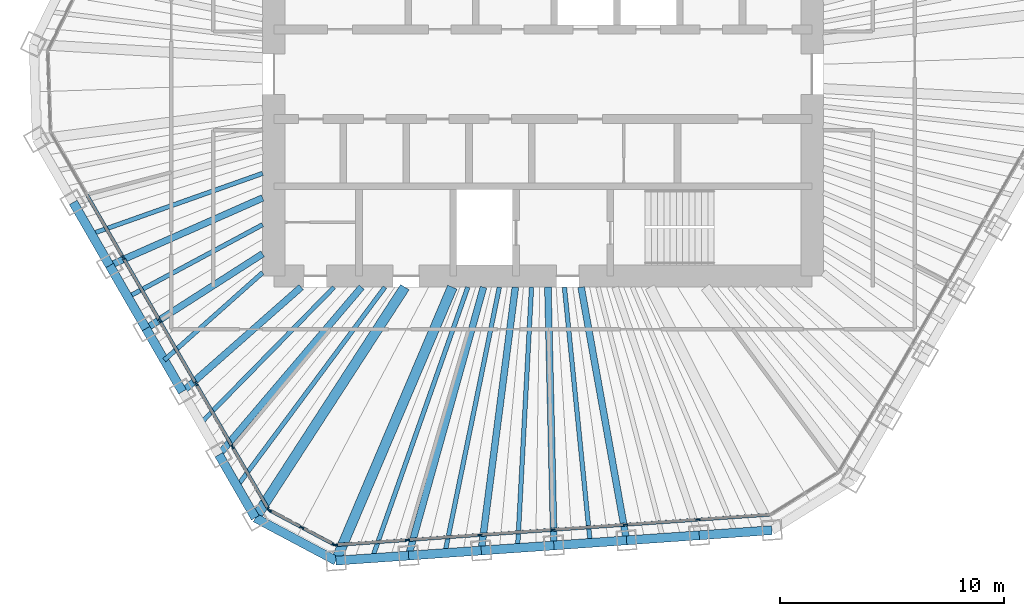
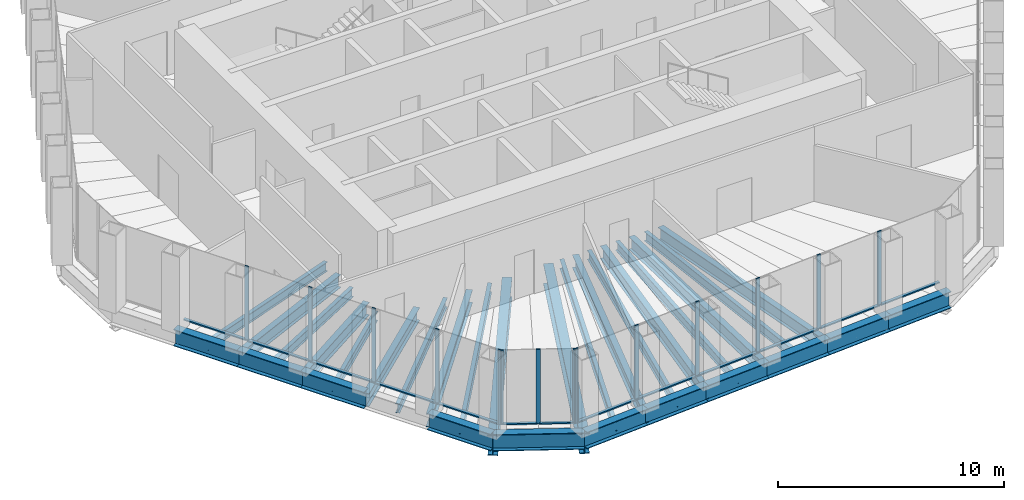
# One storey, part 2 of 14: 30 beams, 27 members, 3 elements without a shape of their own.
"""IFC4 building model written with IfcOpenShell, lengths in metres."""

from ifc_helpers import new_model, si_unit, direction, frame, origin, origin_2d, place, context, subcontext, project, spatial, rectangle, i_section, extrude, material, material_profile, profile_set, type_object, element, aggregate, save


model = new_model("IFC4")

# Units and contexts
model_context = context("Model", 3, precision=1e-05, world=origin(), true_north=direction((0.0, 1.0)))
body_context = subcontext(model_context, "Body", "Model", "MODEL_VIEW")
ifc_project = project(units=[si_unit("LENGTHUNIT", "METRE"), si_unit("AREAUNIT", "SQUARE_METRE"), si_unit("VOLUMEUNIT", "CUBIC_METRE"), si_unit("PLANEANGLEUNIT", "RADIAN"), si_unit("MASSUNIT", "GRAM", prefix="KILO")], contexts=[model_context])

# Site, building, storey
site_placement = place(None, origin())
site = spatial("IfcSite", under=ifc_project, at=site_placement, CompositionType="ELEMENT")
building_placement = place(site_placement, origin())
building = spatial("IfcBuilding", under=site, at=building_placement, Name="Qingtian Harvest Tower", CompositionType="ELEMENT")
storey_placement = place(building_placement, frame((0.0, 0.0, 295.60009765625)))
storey = spatial("IfcBuildingStorey", under=building, at=storey_placement, Name="L65", CompositionType="ELEMENT", Elevation=295.60009765625)

# Beams
ifc_material_1 = material(Name="Steel SM570MC", Category="steel")
ifc_material_profile_1 = material_profile(ifc_material_1, i_section(OverallWidth=0.449951171875, OverallDepth=1.10009765625, WebThickness=0.02197265625, FlangeThickness=0.044921875, at=origin_2d()), Name="H1100x450x22x45")
ifc_profile_set_1 = profile_set([ifc_material_profile_1], Name="Steel SM570MC")
beam_type_1 = type_object("IfcBeamType", Name="Corner floor beam FB8 H1100x450x22x45", PredefinedType="BEAM", material=ifc_profile_set_1)
beam_1_placement = place(storey_placement, frame((-9.231201171875, -21.69677734375, -0.72021484375), z_axis=(0.391497096334, 0.920179343151, 0.0), x_axis=(-0.920179343151, 0.391497096334, 0.0)))
element("IfcBeam", 1, at=beam_1_placement, inside=storey, type_object=beam_type_1, Name="Floor beam FB8 S6", PredefinedType="BEAM", context=body_context, shape_type="SweptSolid", body=[
    extrude(i_section(OverallWidth=0.449951171875, OverallDepth=1.10009765625, WebThickness=0.02197265625, FlangeThickness=0.044921875, at=origin_2d()), origin(), (0.0, 0.0, 1.0), 13.2548828125),
])
beam_2_placement = place(storey_placement, frame((-12.825439453125, -19.78564453125, -0.72021484375), z_axis=(0.543944801957, 0.83912099987, 0.0), x_axis=(-0.83912099987, 0.543944801957, 0.0)))
element("IfcBeam", 2, at=beam_2_placement, inside=storey, type_object=beam_type_1, Name="Floor beam FB8 SW0", PredefinedType="BEAM", context=body_context, shape_type="SweptSolid", body=[
    extrude(i_section(OverallWidth=0.449951171875, OverallDepth=1.10009765625, WebThickness=0.02197265625, FlangeThickness=0.044921875, at=origin_2d()), origin(), (0.0, 0.0, 1.0), 12.257568359375),
])
ifc_material_2 = material(Name="Steel SN490B", Category="steel")
ifc_material_profile_2 = material_profile(ifc_material_2, i_section(OverallWidth=0.300048828125, OverallDepth=0.699951171875, WebThickness=0.012939453125, FlangeThickness=0.02392578125, at=origin_2d()), Name="H700x300x13x24")
ifc_profile_set_2 = profile_set([ifc_material_profile_2], Name="Steel SN490B")
beam_type_2 = type_object("IfcBeamType", Name="Floor beam FB4 H700x300x13x24", PredefinedType="BEAM", material=ifc_profile_set_2)
beam_3_placement = place(storey_placement, frame((3.729248046875, -20.79052734375, -0.52001953125), z_axis=(-0.176549332285, 0.984291792747, 0.0), x_axis=(-0.984291792747, -0.176549332285, 0.0)))
element("IfcBeam", 3, at=beam_3_placement, inside=storey, type_object=beam_type_2, Name="Floor beam FB4 S2", PredefinedType="BEAM", context=body_context, shape_type="SweptSolid", body=[
    extrude(i_section(OverallWidth=0.300048828125, OverallDepth=0.699951171875, WebThickness=0.012939453125, FlangeThickness=0.02392578125, at=origin_2d()), origin(), (0.0, 0.0, 1.0), 11.470703125),
])
beam_4_placement = place(storey_placement, frame((0.489013671875, -21.01708984375, -0.52001953125), z_axis=(-0.023248050009, 0.999729727562, 0.0), x_axis=(-0.999729727562, -0.023248050009, 0.0)))
element("IfcBeam", 4, at=beam_4_placement, inside=storey, type_object=beam_type_2, Name="Floor beam FB4 S3", PredefinedType="BEAM", context=body_context, shape_type="SweptSolid", body=[
    extrude(i_section(OverallWidth=0.300048828125, OverallDepth=0.699951171875, WebThickness=0.012939453125, FlangeThickness=0.02392578125, at=origin_2d()), origin(), (0.0, 0.0, 1.0), 11.520263671875),
])
beam_5_placement = place(storey_placement, frame((-2.7509765625, -21.24365234375, -0.52001953125), z_axis=(0.128423358095, 0.991719436683, 0.0), x_axis=(-0.991719436683, 0.128423358095, 0.0)))
element("IfcBeam", 5, at=beam_5_placement, inside=storey, type_object=beam_type_2, Name="Floor beam FB4 S4", PredefinedType="BEAM", context=body_context, shape_type="SweptSolid", body=[
    extrude(i_section(OverallWidth=0.300048828125, OverallDepth=0.699951171875, WebThickness=0.012939453125, FlangeThickness=0.02392578125, at=origin_2d()), origin(), (0.0, 0.0, 1.0), 11.841796875),
])
beam_6_placement = place(storey_placement, frame((-5.9912109375, -21.47021484375, -0.52001953125), z_axis=(0.268784556761, 0.963200322906, 0.0), x_axis=(-0.963200322906, 0.268784556761, 0.0)))
element("IfcBeam", 6, at=beam_6_placement, inside=storey, type_object=beam_type_2, Name="Floor beam FB4 S5", PredefinedType="BEAM", context=body_context, shape_type="SweptSolid", body=[
    extrude(i_section(OverallWidth=0.300048828125, OverallDepth=0.699951171875, WebThickness=0.012939453125, FlangeThickness=0.02392578125, at=origin_2d()), origin(), (0.0, 0.0, 1.0), 12.427490234375),
])
beam_7_placement = place(storey_placement, frame((-14.449462890625, -16.972900390625, -0.52001953125), z_axis=(0.64823096823, 0.761443768001, 0.0), x_axis=(-0.761443768001, 0.64823096823, 0.0)))
element("IfcBeam", 7, at=beam_7_placement, inside=storey, type_object=beam_type_2, Name="Floor beam FB4 SW1", PredefinedType="BEAM", context=body_context, shape_type="SweptSolid", body=[
    extrude(i_section(OverallWidth=0.300048828125, OverallDepth=0.699951171875, WebThickness=0.012939453125, FlangeThickness=0.02392578125, at=origin_2d()), origin(), (0.0, 0.0, 1.0), 9.814208984375),
])
beam_8_placement = place(storey_placement, frame((-16.073486328125, -14.159912109375, -0.52001953125), z_axis=(0.75036921961, 0.661018936387, 0.0), x_axis=(-0.661018936387, 0.75036921961, 0.0)))
element("IfcBeam", 8, at=beam_8_placement, inside=storey, type_object=beam_type_2, Name="Floor beam FB4 SW2", PredefinedType="BEAM", context=body_context, shape_type="SweptSolid", body=[
    extrude(i_section(OverallWidth=0.300048828125, OverallDepth=0.699951171875, WebThickness=0.012939453125, FlangeThickness=0.02392578125, at=origin_2d()), origin(), (0.0, 0.0, 1.0), 7.049560546875),
])
beam_9_placement = place(storey_placement, frame((-17.697509765625, -11.34716796875, -0.52001953125), z_axis=(0.841821552392, 0.539755939225, 0.0), x_axis=(-0.539755939225, 0.841821552392, 0.0)))
element("IfcBeam", 9, at=beam_9_placement, inside=storey, type_object=beam_type_2, Name="Floor beam FB4 SW3", PredefinedType="BEAM", context=body_context, shape_type="SweptSolid", body=[
    extrude(i_section(OverallWidth=0.300048828125, OverallDepth=0.699951171875, WebThickness=0.012939453125, FlangeThickness=0.02392578125, at=origin_2d()), origin(), (0.0, 0.0, 1.0), 6.174072265625),
])
beam_10_placement = place(storey_placement, frame((-19.321533203125, -8.5341796875, -0.52001953125), z_axis=(0.914747389649, 0.404026253021, 0.0), x_axis=(-0.404026253021, 0.914747389649, 0.0)))
element("IfcBeam", 10, at=beam_10_placement, inside=storey, type_object=beam_type_2, Name="Floor beam FB4 SW4", PredefinedType="BEAM", context=body_context, shape_type="SweptSolid", body=[
    extrude(i_section(OverallWidth=0.300048828125, OverallDepth=0.699951171875, WebThickness=0.012939453125, FlangeThickness=0.02392578125, at=origin_2d()), origin(), (0.0, 0.0, 1.0), 7.457275390625),
])
ifc_material_3 = material(Name="Steel SN490B", Category="steel")
ifc_material_profile_3 = material_profile(ifc_material_3, i_section(OverallWidth=0.199951171875, OverallDepth=0.5, WebThickness=0.010009765625, FlangeThickness=0.01611328125, at=origin_2d()), Name="H500x200x10x16")
ifc_profile_set_3 = profile_set([ifc_material_profile_3], Name="Steel SN490B")
beam_type_3 = type_object("IfcBeamType", Name="Floor joist J3 H500x200x10x16", PredefinedType="JOIST", material=ifc_profile_set_3)
beam_11_placement = place(storey_placement, frame((2.109130859375, -20.90380859375, -0.420166015625), z_axis=(-0.100389444623, 0.994948219461, 0.0), x_axis=(-0.994948219461, -0.100389444623, 0.0)))
element("IfcBeam", 11, at=beam_11_placement, inside=storey, type_object=beam_type_3, Name="Floor joist J3 S2", PredefinedType="JOIST", context=body_context, shape_type="SweptSolid", body=[
    extrude(i_section(OverallWidth=0.199951171875, OverallDepth=0.5, WebThickness=0.010009765625, FlangeThickness=0.01611328125, at=origin_2d()), origin(), (0.0, 0.0, 1.0), 11.461669921875),
])
beam_12_placement = place(storey_placement, frame((-1.130859375, -21.13037109375, -0.420166015625), z_axis=(0.053431269754, 0.998571529442, 0.0), x_axis=(-0.998571529442, 0.053431269754, 0.0)))
element("IfcBeam", 12, at=beam_12_placement, inside=storey, type_object=beam_type_3, Name="Floor joist J3 S3", PredefinedType="JOIST", context=body_context, shape_type="SweptSolid", body=[
    extrude(i_section(OverallWidth=0.199951171875, OverallDepth=0.5, WebThickness=0.010009765625, FlangeThickness=0.01611328125, at=origin_2d()), origin(), (0.0, 0.0, 1.0), 11.64697265625),
])
beam_13_placement = place(storey_placement, frame((-4.37109375, -21.35693359375, -0.420166015625), z_axis=(0.20051328843, 0.979690982485, 0.0), x_axis=(-0.979690982485, 0.20051328843, 0.0)))
element("IfcBeam", 13, at=beam_13_placement, inside=storey, type_object=beam_type_3, Name="Floor joist J3 S4", PredefinedType="JOIST", context=body_context, shape_type="SweptSolid", body=[
    extrude(i_section(OverallWidth=0.199951171875, OverallDepth=0.5, WebThickness=0.010009765625, FlangeThickness=0.01611328125, at=origin_2d()), origin(), (0.0, 0.0, 1.0), 12.102783203125),
])
beam_14_placement = place(storey_placement, frame((-7.611083984375, -21.58349609375, -0.420166015625), z_axis=(0.332557973755, 0.943082814016, 0.0), x_axis=(-0.943082814016, 0.332557973755, 0.0)))
element("IfcBeam", 14, at=beam_14_placement, inside=storey, type_object=beam_type_3, Name="Floor joist J3 S5", PredefinedType="JOIST", context=body_context, shape_type="SweptSolid", body=[
    extrude(i_section(OverallWidth=0.199951171875, OverallDepth=0.5, WebThickness=0.010009765625, FlangeThickness=0.01611328125, at=origin_2d()), origin(), (0.0, 0.0, 1.0), 12.812744140625),
])
beam_15_placement = place(storey_placement, frame((-13.637451171875, -18.37939453125, -0.420166015625), z_axis=(0.59587265023, 0.80307894052, 0.0), x_axis=(-0.80307894052, 0.59587265023, 0.0)))
element("IfcBeam", 15, at=beam_15_placement, inside=storey, type_object=beam_type_3, Name="Floor joist J3 SW0", PredefinedType="JOIST", context=body_context, shape_type="SweptSolid", body=[
    extrude(i_section(OverallWidth=0.199951171875, OverallDepth=0.5, WebThickness=0.010009765625, FlangeThickness=0.01611328125, at=origin_2d()), origin(), (0.0, 0.0, 1.0), 11.056640625),
])
beam_16_placement = place(storey_placement, frame((-15.261474609375, -15.56640625, -0.420166015625), z_axis=(0.700074571426, 0.714069740602, 0.0), x_axis=(-0.714069740602, 0.700074571426, 0.0)))
element("IfcBeam", 16, at=beam_16_placement, inside=storey, type_object=beam_type_3, Name="Floor joist J3 SW1", PredefinedType="JOIST", context=body_context, shape_type="SweptSolid", body=[
    extrude(i_section(OverallWidth=0.199951171875, OverallDepth=0.5, WebThickness=0.010009765625, FlangeThickness=0.01611328125, at=origin_2d()), origin(), (0.0, 0.0, 1.0), 8.49560546875),
])
beam_17_placement = place(storey_placement, frame((-16.885498046875, -12.753662109375, -0.420166015625), z_axis=(0.746957180478, 0.664872146004, 0.0), x_axis=(-0.664872146004, 0.746957180478, 0.0)))
element("IfcBeam", 17, at=beam_17_placement, inside=storey, type_object=beam_type_3, Name="Floor joist J3 SW2", PredefinedType="JOIST", context=body_context, shape_type="SweptSolid", body=[
    extrude(i_section(OverallWidth=0.199951171875, OverallDepth=0.5, WebThickness=0.010009765625, FlangeThickness=0.01611328125, at=origin_2d()), origin(), (0.0, 0.0, 1.0), 5.87109375),
])
beam_18_placement = place(storey_placement, frame((-18.509521484375, -9.940673828125, -0.420166015625), z_axis=(0.880981997123, 0.473149786795, 0.0), x_axis=(-0.473149786795, 0.880981997123, 0.0)))
element("IfcBeam", 18, at=beam_18_placement, inside=storey, type_object=beam_type_3, Name="Floor joist J3 SW3", PredefinedType="JOIST", context=body_context, shape_type="SweptSolid", body=[
    extrude(i_section(OverallWidth=0.199951171875, OverallDepth=0.5, WebThickness=0.010009765625, FlangeThickness=0.01611328125, at=origin_2d()), origin(), (0.0, 0.0, 1.0), 6.8212890625),
])
beam_19_placement = place(storey_placement, frame((-20.133544921875, -7.1279296875, -0.420166015625), z_axis=(0.942662600818, 0.333747241215, 0.0), x_axis=(-0.333747241215, 0.942662600818, 0.0)))
element("IfcBeam", 19, at=beam_19_placement, inside=storey, type_object=beam_type_3, Name="Floor joist J3 SW4", PredefinedType="JOIST", context=body_context, shape_type="SweptSolid", body=[
    extrude(i_section(OverallWidth=0.199951171875, OverallDepth=0.5, WebThickness=0.010009765625, FlangeThickness=0.01611328125, at=origin_2d()), origin(), (0.0, 0.0, 1.0), 8.097900390625),
])

# Curtain wall, members
ifc_material_4 = material(Name="Bronze-anodised aluminium curtain wall", Category="aluminium")
curtain_wall_type = type_object("IfcCurtainWallType", Name="Curtain wall CW5 upper office", PredefinedType="USERDEFINED", material=ifc_material_4)
curtain_wall_1_placement = place(storey_placement, origin())
curtain_wall_1 = element("IfcCurtainWall", 20, at=curtain_wall_1_placement, inside=storey, type_object=curtain_wall_type, Name="Curtain wall CW5 L65 S0-5", ObjectType="RECESSED CURTAIN WALL", PredefinedType="USERDEFINED")
ifc_material_5 = material(Name="Bronze-anodised aluminium mullion", Category="aluminium")
ifc_material_profile_4 = material_profile(ifc_material_5, rectangle(XDim=0.06494140625, YDim=0.199951171875, at=origin_2d()), Name="AL 65x200")
ifc_profile_set_4 = profile_set([ifc_material_profile_4], Name="Bronze-anodised aluminium mullion")
member_type_1 = type_object("IfcMemberType", Name="Mullion CWM 65x200", PredefinedType="MULLION", material=ifc_profile_set_4)
member_1_placement = place(storey_placement, frame((6.92041015625, -19.86572265625, 0.0), z_axis=(0.0, 0.0, 1.0), x_axis=(0.069756473744, -0.99756405026, 0.0)))
member_1 = element("IfcMember", 21, at=member_1_placement, type_object=member_type_1, Name="CW5 mullion 2", PredefinedType="MULLION", context=body_context, shape_type="SweptSolid", body=[
    extrude(rectangle(XDim=0.06494140625, YDim=0.199951171875, at=origin_2d()), origin(), (0.0, 0.0, 1.0), 4.02978515625),
])
member_2_placement = place(storey_placement, frame((3.680419921875, -20.09228515625, 0.0), z_axis=(0.0, 0.0, 1.0), x_axis=(0.069756473744, -0.99756405026, 0.0)))
member_2 = element("IfcMember", 22, at=member_2_placement, type_object=member_type_1, Name="CW5 mullion 3", PredefinedType="MULLION", context=body_context, shape_type="SweptSolid", body=[
    extrude(rectangle(XDim=0.06494140625, YDim=0.199951171875, at=origin_2d()), origin(), (0.0, 0.0, 1.0), 4.02978515625),
])
member_3_placement = place(storey_placement, frame((0.440185546875, -20.31884765625, 0.0), z_axis=(0.0, 0.0, 1.0), x_axis=(0.069756473744, -0.99756405026, 0.0)))
member_3 = element("IfcMember", 23, at=member_3_placement, type_object=member_type_1, Name="CW5 mullion 4", PredefinedType="MULLION", context=body_context, shape_type="SweptSolid", body=[
    extrude(rectangle(XDim=0.06494140625, YDim=0.199951171875, at=origin_2d()), origin(), (0.0, 0.0, 1.0), 4.02978515625),
])
member_4_placement = place(storey_placement, frame((-2.7998046875, -20.54541015625, 0.0), z_axis=(0.0, 0.0, 1.0), x_axis=(0.069756473744, -0.99756405026, 0.0)))
member_4 = element("IfcMember", 24, at=member_4_placement, type_object=member_type_1, Name="CW5 mullion 5", PredefinedType="MULLION", context=body_context, shape_type="SweptSolid", body=[
    extrude(rectangle(XDim=0.06494140625, YDim=0.199951171875, at=origin_2d()), origin(), (0.0, 0.0, 1.0), 4.02978515625),
])
member_5_placement = place(storey_placement, frame((-6.0400390625, -20.77197265625, 0.0), z_axis=(0.0, 0.0, 1.0), x_axis=(0.069756473744, -0.99756405026, 0.0)))
member_5 = element("IfcMember", 25, at=member_5_placement, type_object=member_type_1, Name="CW5 mullion 6", PredefinedType="MULLION", context=body_context, shape_type="SweptSolid", body=[
    extrude(rectangle(XDim=0.06494140625, YDim=0.199951171875, at=origin_2d()), origin(), (0.0, 0.0, 1.0), 4.02978515625),
])
member_6_placement = place(storey_placement, frame((-9.24755859375, -20.996337890625, 0.0), z_axis=(0.0, 0.0, 1.0), x_axis=(0.069756473744, -0.99756405026, 0.0)))
member_6 = element("IfcMember", 26, at=member_6_placement, type_object=member_type_1, Name="CW5 mullion 7", PredefinedType="MULLION", context=body_context, shape_type="SweptSolid", body=[
    extrude(rectangle(XDim=0.06494140625, YDim=0.199951171875, at=origin_2d()), origin(), (0.0, 0.0, 1.0), 4.02978515625),
])

curtain_wall_2_placement = place(storey_placement, origin())
curtain_wall_2 = element("IfcCurtainWall", 27, at=curtain_wall_2_placement, inside=storey, type_object=curtain_wall_type, Name="Curtain wall CW5 L65 SC", ObjectType="RECESSED CURTAIN WALL", PredefinedType="USERDEFINED")
member_7_placement = place(storey_placement, frame((-9.308837890625, -20.983154296875, 0.0), z_axis=(0.0, 0.0, 1.0), x_axis=(-0.469471562786, -0.882947592859, 0.0)))
member_7 = element("IfcMember", 28, at=member_7_placement, type_object=member_type_1, Name="CW5 mullion 1", PredefinedType="MULLION", context=body_context, shape_type="SweptSolid", body=[
    extrude(rectangle(XDim=0.06494140625, YDim=0.199951171875, at=origin_2d()), origin(), (0.0, 0.0, 1.0), 4.02978515625),
])
member_8_placement = place(storey_placement, frame((-10.749755859375, -20.217041015625, 0.0), z_axis=(0.0, 0.0, 1.0), x_axis=(-0.469471562786, -0.882947592859, 0.0)))
member_8 = element("IfcMember", 29, at=member_8_placement, type_object=member_type_1, Name="CW5 mullion 2", PredefinedType="MULLION", context=body_context, shape_type="SweptSolid", body=[
    extrude(rectangle(XDim=0.06494140625, YDim=0.199951171875, at=origin_2d()), origin(), (0.0, 0.0, 1.0), 4.02978515625),
])
member_9_placement = place(storey_placement, frame((-12.1904296875, -19.450927734375, 0.0), z_axis=(0.0, 0.0, 1.0), x_axis=(-0.469471562786, -0.882947592859, 0.0)))
member_9 = element("IfcMember", 30, at=member_9_placement, type_object=member_type_1, Name="CW5 mullion 3", PredefinedType="MULLION", context=body_context, shape_type="SweptSolid", body=[
    extrude(rectangle(XDim=0.06494140625, YDim=0.199951171875, at=origin_2d()), origin(), (0.0, 0.0, 1.0), 4.02978515625),
])

curtain_wall_3_placement = place(storey_placement, origin())
curtain_wall_3 = element("IfcCurtainWall", 31, at=curtain_wall_3_placement, inside=storey, type_object=curtain_wall_type, Name="Curtain wall CW5 L65 SW0-5", ObjectType="RECESSED CURTAIN WALL", PredefinedType="USERDEFINED")
member_10_placement = place(storey_placement, frame((-12.2353515625, -19.40771484375, 0.0), z_axis=(0.0, 0.0, 1.0), x_axis=(-0.866025403784, -0.5, 0.0)))
member_10 = element("IfcMember", 32, at=member_10_placement, type_object=member_type_1, Name="CW5 mullion 1", PredefinedType="MULLION", context=body_context, shape_type="SweptSolid", body=[
    extrude(rectangle(XDim=0.06494140625, YDim=0.199951171875, at=origin_2d()), origin(), (0.0, 0.0, 1.0), 4.02978515625),
])
member_11_placement = place(storey_placement, frame((-13.84326171875, -16.622802734375, 0.0), z_axis=(0.0, 0.0, 1.0), x_axis=(-0.866025403784, -0.5, 0.0)))
member_11 = element("IfcMember", 33, at=member_11_placement, type_object=member_type_1, Name="CW5 mullion 2", PredefinedType="MULLION", context=body_context, shape_type="SweptSolid", body=[
    extrude(rectangle(XDim=0.06494140625, YDim=0.199951171875, at=origin_2d()), origin(), (0.0, 0.0, 1.0), 4.02978515625),
])
member_12_placement = place(storey_placement, frame((-15.46728515625, -13.81005859375, 0.0), z_axis=(0.0, 0.0, 1.0), x_axis=(-0.866025403784, -0.5, 0.0)))
member_12 = element("IfcMember", 34, at=member_12_placement, type_object=member_type_1, Name="CW5 mullion 3", PredefinedType="MULLION", context=body_context, shape_type="SweptSolid", body=[
    extrude(rectangle(XDim=0.06494140625, YDim=0.199951171875, at=origin_2d()), origin(), (0.0, 0.0, 1.0), 4.02978515625),
])
member_13_placement = place(storey_placement, frame((-17.09130859375, -10.9970703125, 0.0), z_axis=(0.0, 0.0, 1.0), x_axis=(-0.866025403784, -0.5, 0.0)))
member_13 = element("IfcMember", 35, at=member_13_placement, type_object=member_type_1, Name="CW5 mullion 4", PredefinedType="MULLION", context=body_context, shape_type="SweptSolid", body=[
    extrude(rectangle(XDim=0.06494140625, YDim=0.199951171875, at=origin_2d()), origin(), (0.0, 0.0, 1.0), 4.02978515625),
])
member_14_placement = place(storey_placement, frame((-18.71533203125, -8.184326171875, 0.0), z_axis=(0.0, 0.0, 1.0), x_axis=(-0.866025403784, -0.5, 0.0)))
member_14 = element("IfcMember", 36, at=member_14_placement, type_object=member_type_1, Name="CW5 mullion 5", PredefinedType="MULLION", context=body_context, shape_type="SweptSolid", body=[
    extrude(rectangle(XDim=0.06494140625, YDim=0.199951171875, at=origin_2d()), origin(), (0.0, 0.0, 1.0), 4.02978515625),
])

# Beams
ifc_material_6 = material(Name="Steel SN490B", Category="steel")
ifc_material_profile_5 = material_profile(ifc_material_6, i_section(OverallWidth=0.39990234375, OverallDepth=0.89990234375, WebThickness=0.01904296875, FlangeThickness=0.035888671875, at=origin_2d()), Name="H900x400x19x36")
ifc_profile_set_5 = profile_set([ifc_material_profile_5], Name="Steel SN490B")
beam_type_4 = type_object("IfcBeamType", Name="Spandrel beam SB4 H900x400x19x36", PredefinedType="SPANDREL", material=ifc_profile_set_5)
beam_20_placement = place(storey_placement, frame((10.20947265625, -20.33740234375, -0.4501953125), z_axis=(-0.9975644093, -0.069751339047, 0.0), x_axis=(0.069751339047, -0.9975644093, 0.0)))
element("IfcBeam", 37, at=beam_20_placement, inside=storey, type_object=beam_type_4, Name="Spandrel SB4 S0", PredefinedType="SPANDREL", context=body_context, shape_type="SweptSolid", body=[
    extrude(i_section(OverallWidth=0.39990234375, OverallDepth=0.89990234375, WebThickness=0.01904296875, FlangeThickness=0.035888671875, at=origin_2d()), origin(), (0.0, 0.0, 1.0), 3.248046875),
])
beam_21_placement = place(storey_placement, frame((6.96923828125, -20.56396484375, -0.4501953125), z_axis=(-0.997564043571, -0.069756569394, 0.0), x_axis=(0.069756569394, -0.997564043571, 0.0)))
element("IfcBeam", 38, at=beam_21_placement, inside=storey, type_object=beam_type_4, Name="Spandrel SB4 S1", PredefinedType="SPANDREL", context=body_context, shape_type="SweptSolid", body=[
    extrude(i_section(OverallWidth=0.39990234375, OverallDepth=0.89990234375, WebThickness=0.01904296875, FlangeThickness=0.035888671875, at=origin_2d()), origin(), (0.0, 0.0, 1.0), 3.247802734375),
])
beam_22_placement = place(storey_placement, frame((3.729248046875, -20.79052734375, -0.4501953125), z_axis=(-0.9975644093, -0.069751339047, 0.0), x_axis=(0.069751339047, -0.9975644093, 0.0)))
element("IfcBeam", 39, at=beam_22_placement, inside=storey, type_object=beam_type_4, Name="Spandrel SB4 S2", PredefinedType="SPANDREL", context=body_context, shape_type="SweptSolid", body=[
    extrude(i_section(OverallWidth=0.39990234375, OverallDepth=0.89990234375, WebThickness=0.01904296875, FlangeThickness=0.035888671875, at=origin_2d()), origin(), (0.0, 0.0, 1.0), 3.248046875),
])
beam_23_placement = place(storey_placement, frame((0.489013671875, -21.01708984375, -0.4501953125), z_axis=(-0.997564043571, -0.069756569394, 0.0), x_axis=(0.069756569394, -0.997564043571, 0.0)))
element("IfcBeam", 40, at=beam_23_placement, inside=storey, type_object=beam_type_4, Name="Spandrel SB4 S3", PredefinedType="SPANDREL", context=body_context, shape_type="SweptSolid", body=[
    extrude(i_section(OverallWidth=0.39990234375, OverallDepth=0.89990234375, WebThickness=0.01904296875, FlangeThickness=0.035888671875, at=origin_2d()), origin(), (0.0, 0.0, 1.0), 3.247802734375),
])
beam_24_placement = place(storey_placement, frame((-2.7509765625, -21.24365234375, -0.4501953125), z_axis=(-0.9975644093, -0.069751339047, 0.0), x_axis=(0.069751339047, -0.9975644093, 0.0)))
element("IfcBeam", 41, at=beam_24_placement, inside=storey, type_object=beam_type_4, Name="Spandrel SB4 S4", PredefinedType="SPANDREL", context=body_context, shape_type="SweptSolid", body=[
    extrude(i_section(OverallWidth=0.39990234375, OverallDepth=0.89990234375, WebThickness=0.01904296875, FlangeThickness=0.035888671875, at=origin_2d()), origin(), (0.0, 0.0, 1.0), 3.248046875),
])
beam_25_placement = place(storey_placement, frame((-5.9912109375, -21.47021484375, -0.4501953125), z_axis=(-0.997564043571, -0.069756569394, 0.0), x_axis=(0.069756569394, -0.997564043571, 0.0)))
element("IfcBeam", 42, at=beam_25_placement, inside=storey, type_object=beam_type_4, Name="Spandrel SB4 S5", PredefinedType="SPANDREL", context=body_context, shape_type="SweptSolid", body=[
    extrude(i_section(OverallWidth=0.39990234375, OverallDepth=0.89990234375, WebThickness=0.01904296875, FlangeThickness=0.035888671875, at=origin_2d()), origin(), (0.0, 0.0, 1.0), 3.247802734375),
])
beam_26_placement = place(storey_placement, frame((-9.231201171875, -21.69677734375, -0.4501953125), z_axis=(-0.882943273379, 0.469479686456, 0.0), x_axis=(-0.469479686456, -0.882943273379, 0.0)))
element("IfcBeam", 43, at=beam_26_placement, inside=storey, type_object=beam_type_4, Name="Spandrel SB4 SC", PredefinedType="SPANDREL", context=body_context, shape_type="SweptSolid", body=[
    extrude(i_section(OverallWidth=0.39990234375, OverallDepth=0.89990234375, WebThickness=0.01904296875, FlangeThickness=0.035888671875, at=origin_2d()), origin(), (0.0, 0.0, 1.0), 4.07080078125),
])
for number, where, z_axis, x_axis, name in (
    (44, (-12.825439453125, -19.78564453125, -0.4501953125), (-0.500019593356, 0.866014091259, 0.0), (-0.866014091259, -0.500019593356, 0.0), "Spandrel SB4 SW0"),
    (45, (-16.073486328125, -14.159912109375, -0.4501953125), (-0.500019593356, 0.866014091259, 0.0), (-0.866014091259, -0.500019593356, 0.0), "Spandrel SB4 SW2"),
):
    element("IfcBeam", number, at=place(storey_placement, frame(where, z_axis=z_axis, x_axis=x_axis)), inside=storey, type_object=beam_type_4, Name=name, PredefinedType="SPANDREL", context=body_context, shape_type="SweptSolid", body=[
        extrude(i_section(OverallWidth=0.39990234375, OverallDepth=0.89990234375, WebThickness=0.01904296875, FlangeThickness=0.035888671875, at=origin_2d()), origin(), (0.0, 0.0, 1.0), 3.247802734375),
    ])
beam_27_placement = place(storey_placement, frame((-17.697509765625, -11.34716796875, -0.4501953125), z_axis=(-0.499987045439, 0.866032882975, 0.0), x_axis=(-0.866032882975, -0.499987045439, 0.0)))
element("IfcBeam", 46, at=beam_27_placement, inside=storey, type_object=beam_type_4, Name="Spandrel SB4 SW3", PredefinedType="SPANDREL", context=body_context, shape_type="SweptSolid", body=[
    extrude(i_section(OverallWidth=0.39990234375, OverallDepth=0.89990234375, WebThickness=0.01904296875, FlangeThickness=0.035888671875, at=origin_2d()), origin(), (0.0, 0.0, 1.0), 3.248046875),
])
beam_28_placement = place(storey_placement, frame((-19.321533203125, -8.5341796875, -0.4501953125), z_axis=(-0.500019593356, 0.866014091259, 0.0), x_axis=(-0.866014091259, -0.500019593356, 0.0)))
element("IfcBeam", 47, at=beam_28_placement, inside=storey, type_object=beam_type_4, Name="Spandrel SB4 SW4", PredefinedType="SPANDREL", context=body_context, shape_type="SweptSolid", body=[
    extrude(i_section(OverallWidth=0.39990234375, OverallDepth=0.89990234375, WebThickness=0.01904296875, FlangeThickness=0.035888671875, at=origin_2d()), origin(), (0.0, 0.0, 1.0), 3.247802734375),
])

# Member
ifc_material_7 = material(Name="Bronze-anodised aluminium transom", Category="aluminium")
ifc_material_profile_6 = material_profile(ifc_material_7, rectangle(XDim=0.14990234375, YDim=0.06494140625, at=origin_2d()), Name="AL 65x150")
ifc_profile_set_6 = profile_set([ifc_material_profile_6], Name="Bronze-anodised aluminium transom")
member_type_2 = type_object("IfcMemberType", Name="Transom CWT 65x150", PredefinedType="USERDEFINED", material=ifc_profile_set_6)
member_15_placement = place(storey_placement, frame((10.095703125, -19.6435546875, 0.032470703125), z_axis=(-0.997564955301, -0.069743529851, 0.0), x_axis=(0.069743529851, -0.997564955301, 0.0)))
member_15 = element("IfcMember", 48, at=member_15_placement, type_object=member_type_2, Name="CW5 transom 1.1", ObjectType="TRANSOM", PredefinedType="USERDEFINED", context=body_context, shape_type="SweptSolid", body=[
    extrude(rectangle(XDim=0.14990234375, YDim=0.06494140625, at=origin_2d()), origin(), (0.0, 0.0, 1.0), 3.150390625),
])

member_16_placement = place(storey_placement, frame((6.88818359375, -19.867919921875, 0.032470703125), z_axis=(-0.997566548107, -0.069720743674, 0.0), x_axis=(0.069720743674, -0.997566548107, 0.0)))
member_16 = element("IfcMember", 49, at=member_16_placement, type_object=member_type_2, Name="CW5 transom 2.1", ObjectType="TRANSOM", PredefinedType="USERDEFINED", context=body_context, shape_type="SweptSolid", body=[
    extrude(rectangle(XDim=0.14990234375, YDim=0.06494140625, at=origin_2d()), origin(), (0.0, 0.0, 1.0), 3.18310546875),
])

member_17_placement = place(storey_placement, frame((3.64794921875, -20.094482421875, 0.032470703125), z_axis=(-0.997566548107, -0.069720743674, 0.0), x_axis=(0.069720743674, -0.997566548107, 0.0)))
member_17 = element("IfcMember", 50, at=member_17_placement, type_object=member_type_2, Name="CW5 transom 3.1", ObjectType="TRANSOM", PredefinedType="USERDEFINED", context=body_context, shape_type="SweptSolid", body=[
    extrude(rectangle(XDim=0.14990234375, YDim=0.06494140625, at=origin_2d()), origin(), (0.0, 0.0, 1.0), 3.18310546875),
])

member_18_placement = place(storey_placement, frame((0.407958984375, -20.321044921875, 0.032470703125), z_axis=(-0.997566548107, -0.069720743674, 0.0), x_axis=(0.069720743674, -0.997566548107, 0.0)))
member_18 = element("IfcMember", 51, at=member_18_placement, type_object=member_type_2, Name="CW5 transom 4.1", ObjectType="TRANSOM", PredefinedType="USERDEFINED", context=body_context, shape_type="SweptSolid", body=[
    extrude(rectangle(XDim=0.14990234375, YDim=0.06494140625, at=origin_2d()), origin(), (0.0, 0.0, 1.0), 3.18310546875),
])

member_19_placement = place(storey_placement, frame((-2.832275390625, -20.547607421875, 0.032470703125), z_axis=(-0.997561210613, -0.06979707071, 0.0), x_axis=(0.06979707071, -0.997561210613, 0.0)))
member_19 = element("IfcMember", 52, at=member_19_placement, type_object=member_type_2, Name="CW5 transom 5.1", ObjectType="TRANSOM", PredefinedType="USERDEFINED", context=body_context, shape_type="SweptSolid", body=[
    extrude(rectangle(XDim=0.14990234375, YDim=0.06494140625, at=origin_2d()), origin(), (0.0, 0.0, 1.0), 3.18310546875),
])

member_20_placement = place(storey_placement, frame((-6.072509765625, -20.774169921875, 0.032470703125), z_axis=(-0.997564955301, -0.069743529851, 0.0), x_axis=(0.069743529851, -0.997564955301, 0.0)))
member_20 = element("IfcMember", 53, at=member_20_placement, type_object=member_type_2, Name="CW5 transom 6.1", ObjectType="TRANSOM", PredefinedType="USERDEFINED", context=body_context, shape_type="SweptSolid", body=[
    extrude(rectangle(XDim=0.14990234375, YDim=0.06494140625, at=origin_2d()), origin(), (0.0, 0.0, 1.0), 3.150390625),
])

aggregate(curtain_wall_1, [member_1, member_2, member_3, member_4, member_5, member_6, member_15, member_16, member_17, member_18, member_19, member_20])

member_21_placement = place(storey_placement, frame((-9.33740234375, -20.968017578125, 0.032470703125), z_axis=(-0.882960338349, 0.46944759122, 0.0), x_axis=(-0.46944759122, -0.882960338349, 0.0)))
member_21 = element("IfcMember", 54, at=member_21_placement, type_object=member_type_2, Name="CW5 transom 1.1", ObjectType="TRANSOM", PredefinedType="USERDEFINED", context=body_context, shape_type="SweptSolid", body=[
    extrude(rectangle(XDim=0.14990234375, YDim=0.06494140625, at=origin_2d()), origin(), (0.0, 0.0, 1.0), 1.56689453125),
])

member_22_placement = place(storey_placement, frame((-10.7783203125, -20.201904296875, 0.032470703125), z_axis=(-0.882960338349, 0.46944759122, 0.0), x_axis=(-0.46944759122, -0.882960338349, 0.0)))
member_22 = element("IfcMember", 55, at=member_22_placement, type_object=member_type_2, Name="CW5 transom 2.1", ObjectType="TRANSOM", PredefinedType="USERDEFINED", context=body_context, shape_type="SweptSolid", body=[
    extrude(rectangle(XDim=0.14990234375, YDim=0.06494140625, at=origin_2d()), origin(), (0.0, 0.0, 1.0), 1.56689453125),
])

aggregate(curtain_wall_2, [member_7, member_8, member_9, member_21, member_22])

member_23_placement = place(storey_placement, frame((-12.251708984375, -19.37939453125, 0.032470703125), z_axis=(-0.50000643655, 0.866021687608, 0.0), x_axis=(-0.866021687608, -0.50000643655, 0.0)))
member_23 = element("IfcMember", 56, at=member_23_placement, type_object=member_type_2, Name="CW5 transom 1.1", ObjectType="TRANSOM", PredefinedType="USERDEFINED", context=body_context, shape_type="SweptSolid", body=[
    extrude(rectangle(XDim=0.14990234375, YDim=0.06494140625, at=origin_2d()), origin(), (0.0, 0.0, 1.0), 3.150390625),
])

member_24_placement = place(storey_placement, frame((-13.859375, -16.5947265625, 0.032470703125), z_axis=(-0.5000079448, 0.866020816803, 0.0), x_axis=(-0.866020816803, -0.5000079448, 0.0)))
member_24 = element("IfcMember", 57, at=member_24_placement, type_object=member_type_2, Name="CW5 transom 2.1", ObjectType="TRANSOM", PredefinedType="USERDEFINED", context=body_context, shape_type="SweptSolid", body=[
    extrude(rectangle(XDim=0.14990234375, YDim=0.06494140625, at=origin_2d()), origin(), (0.0, 0.0, 1.0), 3.18310546875),
])

member_25_placement = place(storey_placement, frame((-15.4833984375, -13.78173828125, 0.032470703125), z_axis=(-0.500041159108, 0.866001639258, 0.0), x_axis=(-0.866001639258, -0.500041159108, 0.0)))
member_25 = element("IfcMember", 58, at=member_25_placement, type_object=member_type_2, Name="CW5 transom 3.1", ObjectType="TRANSOM", PredefinedType="USERDEFINED", context=body_context, shape_type="SweptSolid", body=[
    extrude(rectangle(XDim=0.14990234375, YDim=0.06494140625, at=origin_2d()), origin(), (0.0, 0.0, 1.0), 3.182861328125),
])

member_26_placement = place(storey_placement, frame((-17.107421875, -10.968994140625, 0.032470703125), z_axis=(-0.5000079448, 0.866020816803, 0.0), x_axis=(-0.866020816803, -0.5000079448, 0.0)))
member_26 = element("IfcMember", 59, at=member_26_placement, type_object=member_type_2, Name="CW5 transom 4.1", ObjectType="TRANSOM", PredefinedType="USERDEFINED", context=body_context, shape_type="SweptSolid", body=[
    extrude(rectangle(XDim=0.14990234375, YDim=0.06494140625, at=origin_2d()), origin(), (0.0, 0.0, 1.0), 3.18310546875),
])

member_27_placement = place(storey_placement, frame((-18.7314453125, -8.156005859375, 0.032470703125), z_axis=(-0.5000079448, 0.866020816803, 0.0), x_axis=(-0.866020816803, -0.5000079448, 0.0)))
member_27 = element("IfcMember", 60, at=member_27_placement, type_object=member_type_2, Name="CW5 transom 5.1", ObjectType="TRANSOM", PredefinedType="USERDEFINED", context=body_context, shape_type="SweptSolid", body=[
    extrude(rectangle(XDim=0.14990234375, YDim=0.06494140625, at=origin_2d()), origin(), (0.0, 0.0, 1.0), 3.18310546875),
])

aggregate(curtain_wall_3, [member_10, member_11, member_12, member_13, member_14, member_23, member_24, member_25, member_26, member_27])

save(model, "model.ifc")
